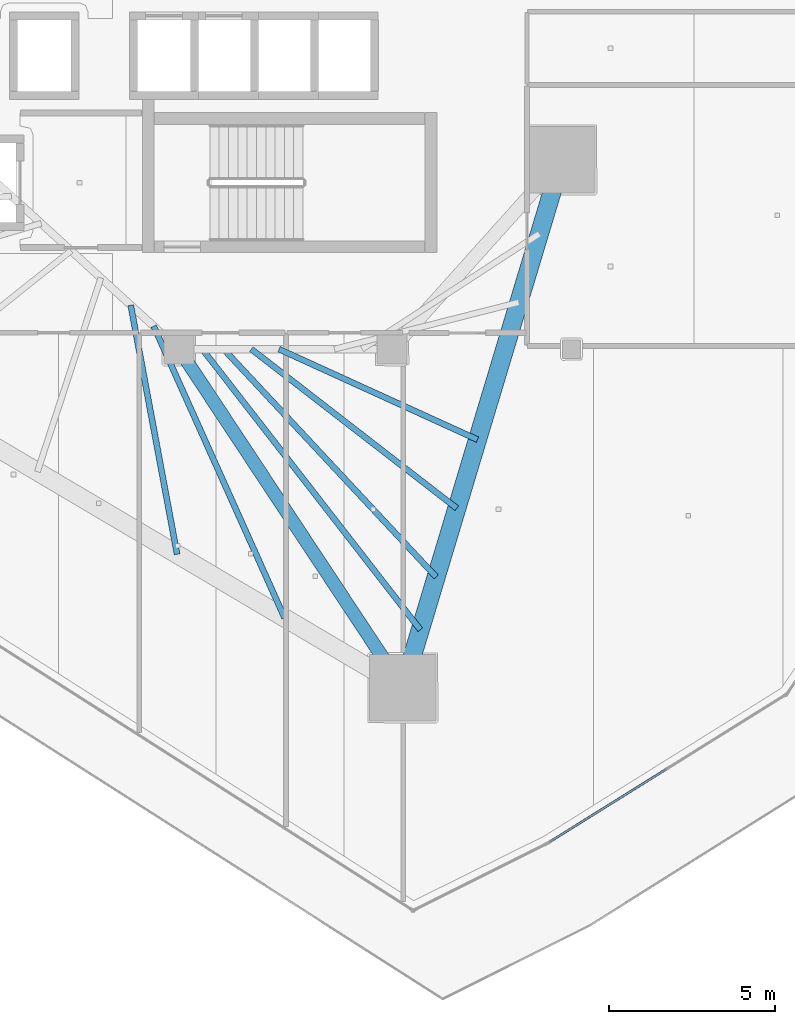
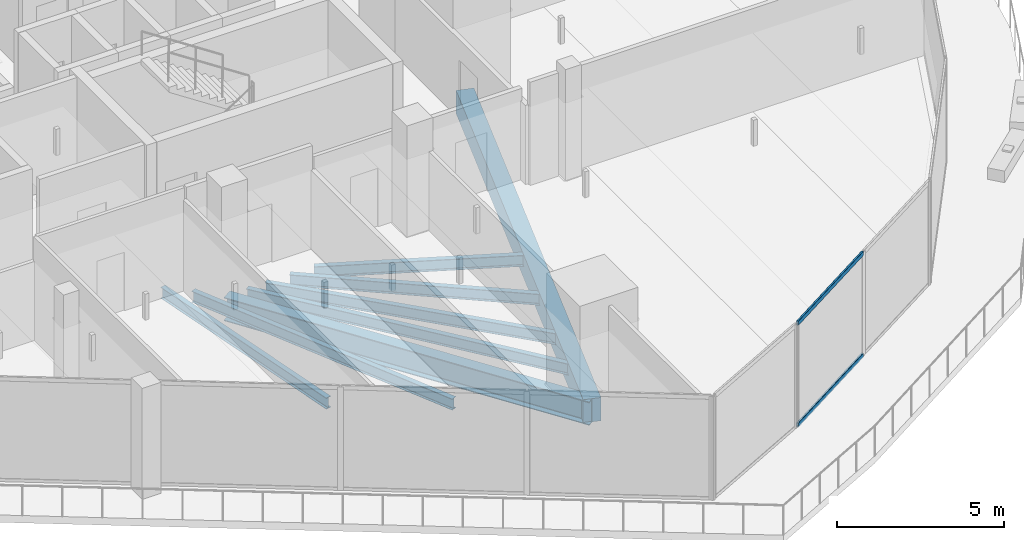
# One storey, part 9 of 37: 8 beams, 2 members, 1 element without a shape of its own.
"""IFC4 building model written with IfcOpenShell, lengths in metres."""

import ifcopenshell
import ifcopenshell.guid

model = None  # the IFC model being written
_history = None  # IfcOwnerHistory: only IFC2X3 demands one
_inside = {}  # id of a spatial element -> (the spatial element, [elements in it])
_under = {}  # id of a project, library or spatial element -> (it, [spatial elements below it])
_declared = {}  # id of a project -> (the project, [libraries it declares])
_typed = {}  # id of a type object -> (the type object, [elements of that type])
_made_of = {}  # id of a material, layer set ... -> (it, [elements and type objects made of it])


def new_model(schema):
    """Start an empty IFC model of exactly this schema.

    Asked for "IFC4X3", IfcOpenShell would pick the latest addendum, in which some entities
    have other attributes; the version numbers below select the first issue.
    IFC2X3 requires an IfcOwnerHistory on every rooted entity: one is made here for all.
    """
    global model, _history
    if schema == "IFC4X3":
        model = ifcopenshell.file(schema_version=(4, 3, 0, 0))
    else:
        model = ifcopenshell.file(schema=schema)
    _inside.clear()
    _under.clear()
    _declared.clear()
    _typed.clear()
    _made_of.clear()
    _history = None
    if model.schema == "IFC2X3":
        org = make("IfcOrganization", Name="unknown")
        user = make(
            "IfcPersonAndOrganization",
            ThePerson=make("IfcPerson", FamilyName="unknown"),
            TheOrganization=org,
        )
        app = make(
            "IfcApplication",
            ApplicationDeveloper=org,
            Version="unknown",
            ApplicationFullName="unknown",
            ApplicationIdentifier="unknown",
        )
        _history = make(
            "IfcOwnerHistory",
            OwningUser=user,
            OwningApplication=app,
            ChangeAction="ADDED",
            CreationDate=0,
        )
    return model


def make(cls, **values):
    """One entity of the class cls with the attributes given. An attribute that is None is left unset."""
    return model.create_entity(
        cls, **{name: value for name, value in values.items() if value is not None}
    )


def rooted(cls, **values):
    """An entity with a GlobalId (a new one), such as an element, a storey or a relation."""
    return make(cls, GlobalId=ifcopenshell.guid.new(), OwnerHistory=_history, **values)


def si_unit(unit_type, name, prefix=None):
    """IfcSIUnit, for example si_unit("LENGTHUNIT", "METRE", prefix="MILLI")."""
    return make("IfcSIUnit", UnitType=unit_type, Prefix=prefix, Name=name)


def assignment(units):
    """IfcUnitAssignment: the units of a project."""
    return None if units is None else make("IfcUnitAssignment", Units=units)


def point(xyz):
    """IfcCartesianPoint."""
    return None if xyz is None else make("IfcCartesianPoint", Coordinates=xyz)


def direction(xyz):
    """IfcDirection."""
    return None if xyz is None else make("IfcDirection", DirectionRatios=xyz)


def frame(location, z_axis=None, x_axis=None):
    """IfcAxis2Placement3D, a coordinate frame: its origin and axes. An axis left out is left unset."""
    return make(
        "IfcAxis2Placement3D",
        Location=point(location),
        Axis=direction(z_axis),
        RefDirection=direction(x_axis),
    )


def frame_2d(location, x_axis=None):
    """IfcAxis2Placement2D, a coordinate frame in the plane: its origin and x axis."""
    return make(
        "IfcAxis2Placement2D", Location=point(location), RefDirection=direction(x_axis)
    )


def origin():
    """The frame at (0, 0, 0) with its axes left unset."""
    return frame((0.0, 0.0, 0.0))


def origin_2d():
    """The frame at (0, 0) in the plane with its x axis left unset."""
    return frame_2d((0.0, 0.0))


def place(relative_to, where):
    """IfcLocalPlacement: puts the frame where relative to a parent placement (None: the world)."""
    return make(
        "IfcLocalPlacement", PlacementRelTo=relative_to, RelativePlacement=where
    )


def context(
    kind, dimensions, precision=None, world=None, true_north=None, identifier=None
):
    """IfcGeometricRepresentationContext, for example the 3D "Model" context."""
    return make(
        "IfcGeometricRepresentationContext",
        ContextIdentifier=identifier,
        ContextType=kind,
        CoordinateSpaceDimension=dimensions,
        Precision=precision,
        WorldCoordinateSystem=world,
        TrueNorth=true_north,
    )


def subcontext(parent, identifier, kind, view, scale=None):
    """IfcGeometricRepresentationSubContext, for example "Body" below "Model"."""
    return make(
        "IfcGeometricRepresentationSubContext",
        ContextIdentifier=identifier,
        ContextType=kind,
        ParentContext=parent,
        TargetScale=scale,
        TargetView=view,
    )


def project(units=None, contexts=None):
    """IfcProject with its units and contexts."""
    return rooted(
        "IfcProject",
        Name="project",
        RepresentationContexts=contexts,
        UnitsInContext=assignment(units),
    )


def spatial(cls, under=None, at=None, **own):
    """A site, building, storey or space (cls), placed at a placement, below another one or the project."""
    s = rooted(cls, ObjectPlacement=at, **own)
    if under is not None:
        _under.setdefault(under.id(), (under, []))[1].append(s)
    return s


def profile(cls, at=None, kind="AREA", **sizes):
    """A parametric profile (cls). Its sizes go by their IFC names, for example OverallWidth=200.0."""
    return make(cls, ProfileType=kind, Position=at, **sizes)


def rectangle(**sizes):
    """IfcRectangleProfileDef."""
    return profile("IfcRectangleProfileDef", **sizes)


def hollow_rectangle(**sizes):
    """IfcRectangleHollowProfileDef."""
    return profile("IfcRectangleHollowProfileDef", **sizes)


def i_section(**sizes):
    """IfcIShapeProfileDef."""
    return profile("IfcIShapeProfileDef", **sizes)


def extrude(swept, where, along, depth):
    """IfcExtrudedAreaSolid: the profile swept, set in the frame where, extruded along a direction by depth."""
    return make(
        "IfcExtrudedAreaSolid",
        SweptArea=swept,
        Position=where,
        ExtrudedDirection=direction(along),
        Depth=depth,
    )


def shape(context_of_items, identifier, shape_type, items):
    """IfcShapeRepresentation: the items that make up one representation, for example the "Body"."""
    return make(
        "IfcShapeRepresentation",
        ContextOfItems=context_of_items,
        RepresentationIdentifier=identifier,
        RepresentationType=shape_type,
        Items=items,
    )


def material(Name=None, Category=None):
    """IfcMaterial."""
    return make("IfcMaterial", Name=Name, Category=Category)


def layer(
    of_material, thickness, ventilated=None, Name=None, Category=None, Priority=None
):
    """IfcMaterialLayer: one layer of a wall or slab, of a material (None: an air gap)."""
    return make(
        "IfcMaterialLayer",
        Material=of_material,
        LayerThickness=thickness,
        IsVentilated=ventilated,
        Name=Name,
        Category=Category,
        Priority=Priority,
    )


def layer_set(layers, Name=None):
    """IfcMaterialLayerSet."""
    return make("IfcMaterialLayerSet", MaterialLayers=layers, LayerSetName=Name)


def material_profile(
    of_material, cross_section, Name=None, Category=None, Priority=None
):
    """IfcMaterialProfile: a cross section and its material."""
    return make(
        "IfcMaterialProfile",
        Name=Name,
        Material=of_material,
        Profile=cross_section,
        Priority=Priority,
        Category=Category,
    )


def profile_set(profiles, Name=None, composite=None):
    """IfcMaterialProfileSet."""
    return make(
        "IfcMaterialProfileSet",
        Name=Name,
        MaterialProfiles=profiles,
        CompositeProfile=composite,
    )


def made_of(thing, what):
    """Note that an element or type object is made of a material, layer set ...; save() writes the relation."""
    if what is not None:
        _made_of.setdefault(what.id(), (what, []))[1].append(thing)
    return thing


def type_object(cls, material=None, **own):
    """A type object (cls), such as IfcWallType, which elements share."""
    return made_of(rooted(cls, **own), material)


def element(
    cls,
    number,
    at=None,
    inside=None,
    cuts=None,
    type_object=None,
    material=None,
    context=None,
    identifier="Body",
    shape_type=None,
    held_by="IfcProductDefinitionShape",
    body=None,
    shapes=None,
    **own,
):
    """One element of the class cls, such as IfcWall. Its Tag is "e" and its number.

    at: its placement. inside: the storey or other place that contains it. cuts: it is an
    opening in that element (IfcRelVoidsElement). A single representation is given by context,
    identifier, shape_type and body (its items); several are given by shapes. held_by: the class
    of the entity that holds the representations. save() writes the other relations.
    """
    e = rooted(cls, Tag="e%d" % number, ObjectPlacement=at, **own)
    if body is not None:
        shapes = [shape(context, identifier, shape_type, body)]
    if shapes is not None:
        e.Representation = make(held_by, Representations=shapes)
    if inside is not None:
        _inside.setdefault(inside.id(), (inside, []))[1].append(e)
    if cuts is not None:
        rooted(
            "IfcRelVoidsElement", RelatingBuildingElement=cuts, RelatedOpeningElement=e
        )
    if type_object is not None:
        _typed.setdefault(type_object.id(), (type_object, []))[1].append(e)
    return made_of(e, material)


def aggregate(whole, parts):
    """IfcRelAggregates: a whole, such as a stair, and the parts it consists of."""
    return rooted("IfcRelAggregates", RelatingObject=whole, RelatedObjects=parts)


def save(model, path):
    """Write the relations noted so far, then the file.

    IfcRelAggregates (storeys below a building ...), IfcRelContainedInSpatialStructure (elements
    in a storey), IfcRelDefinesByType, IfcRelAssociatesMaterial and IfcRelDeclares: one each for
    every whole, place, type object, material and project.
    """
    for whole, parts in _under.values():
        aggregate(whole, parts)
    for where, things in _inside.values():
        rooted(
            "IfcRelContainedInSpatialStructure",
            RelatedElements=things,
            RelatingStructure=where,
        )
    for kind, things in _typed.values():
        rooted("IfcRelDefinesByType", RelatedObjects=things, RelatingType=kind)
    for what, things in _made_of.values():
        rooted("IfcRelAssociatesMaterial", RelatedObjects=things, RelatingMaterial=what)
    for by, libraries in _declared.values():
        rooted("IfcRelDeclares", RelatingContext=by, RelatedDefinitions=libraries)
    model.write(path)


model = new_model("IFC4")

# Units and contexts
model_context = context("Model", 3, precision=1e-05, world=origin(), true_north=direction((0.0, 1.0)))
body_context = subcontext(model_context, "Body", "Model", "MODEL_VIEW")
ifc_project = project(units=[si_unit("LENGTHUNIT", "METRE"), si_unit("AREAUNIT", "SQUARE_METRE"), si_unit("VOLUMEUNIT", "CUBIC_METRE"), si_unit("PLANEANGLEUNIT", "RADIAN"), si_unit("MASSUNIT", "GRAM", prefix="KILO")], contexts=[model_context])

# Site, building, storey
site_placement = place(None, origin())
site = spatial("IfcSite", under=ifc_project, at=site_placement, CompositionType="ELEMENT")
building_placement = place(site_placement, origin())
building = spatial("IfcBuilding", under=site, at=building_placement, Name="Qorvath Tower", CompositionType="ELEMENT")
storey_placement = place(building_placement, frame((0.0, 0.0, 184.800048828125)))
storey = spatial("IfcBuildingStorey", under=building, at=storey_placement, Name="L42", CompositionType="ELEMENT", Elevation=184.800048828125)

# Beams
ifc_material_1 = material(Name="Steel ASTM A992 Grade 50", Category="steel")
ifc_material_profile_1 = material_profile(ifc_material_1, i_section(OverallWidth=0.39892578125, OverallDepth=0.85498046875, WebThickness=0.018310546875, FlangeThickness=0.029296875, FilletRadius=0.02001953125, at=origin_2d()), Name="W33x201")
ifc_profile_set_1 = profile_set([ifc_material_profile_1], Name="Steel ASTM A992 Grade 50")
beam_type_1 = type_object("IfcBeamType", Name="BM-FG2", PredefinedType="BEAM", material=ifc_profile_set_1)
beam_1_placement = place(storey_placement, frame((-23.60009765625, -11.449951171875, -0.697509765625), z_axis=(0.551500517741, -0.834174549439, 0.0), x_axis=(0.834174549439, 0.551500517741, 0.0)))
element("IfcBeam", 1, at=beam_1_placement, inside=storey, type_object=beam_type_1, Name="Radial Floor Girder CC4-MC3 L42", PredefinedType="BEAM", context=body_context, shape_type="SweptSolid", body=[
    extrude(i_section(OverallWidth=0.39892578125, OverallDepth=0.85498046875, WebThickness=0.018310546875, FlangeThickness=0.029296875, FilletRadius=0.02001953125, at=origin_2d()), origin(), (0.0, 0.0, 1.0), 12.200439453125),
])
ifc_material_2 = material(Name="Steel ASTM A992 Grade 50", Category="steel")
ifc_material_profile_2 = material_profile(ifc_material_2, i_section(OverallWidth=0.177978515625, OverallDepth=0.406005859375, WebThickness=0.0078125, FlangeThickness=0.0126953125, FilletRadius=0.010986328125, at=origin_2d()), Name="W16x40")
ifc_profile_set_2 = profile_set([ifc_material_profile_2], Name="Steel ASTM A992 Grade 50")
beam_type_2 = type_object("IfcBeamType", Name="BM-FJ3", PredefinedType="JOIST", material=ifc_profile_set_2)
beam_2_placement = place(storey_placement, frame((-20.592041015625, -11.449951171875, -0.47314453125), z_axis=(0.909945081179, -0.414728765868, 0.0), x_axis=(0.414728765868, 0.909945081179, 0.0)))
element("IfcBeam", 2, at=beam_2_placement, inside=storey, type_object=beam_type_2, Name="Composite Floor Joist SE4 L42", PredefinedType="JOIST", context=body_context, shape_type="SweptSolid", body=[
    extrude(i_section(OverallWidth=0.177978515625, OverallDepth=0.406005859375, WebThickness=0.0078125, FlangeThickness=0.0126953125, FilletRadius=0.010986328125, at=origin_2d()), origin(), (0.0, 0.0, 1.0), 6.554931640625),
])
beam_3_placement = place(storey_placement, frame((-21.424072265625, -11.449951171875, -0.47314453125), z_axis=(0.790693445503, -0.612212279555, 0.0), x_axis=(0.612212279555, 0.790693445503, 0.0)))
element("IfcBeam", 3, at=beam_3_placement, inside=storey, type_object=beam_type_2, Name="Composite Floor Joist SE5 L42", PredefinedType="JOIST", context=body_context, shape_type="SweptSolid", body=[
    extrude(i_section(OverallWidth=0.177978515625, OverallDepth=0.406005859375, WebThickness=0.0078125, FlangeThickness=0.0126953125, FilletRadius=0.010986328125, at=origin_2d()), origin(), (0.0, 0.0, 1.0), 7.810546875),
])
beam_4_placement = place(storey_placement, frame((-22.256103515625, -11.449951171875, -0.47314453125), z_axis=(0.682249490937, -0.731119437654, 0.0), x_axis=(0.731119437654, 0.682249490937, 0.0)))
element("IfcBeam", 4, at=beam_4_placement, inside=storey, type_object=beam_type_2, Name="Composite Floor Joist SE6 L42", PredefinedType="JOIST", context=body_context, shape_type="SweptSolid", body=[
    extrude(i_section(OverallWidth=0.177978515625, OverallDepth=0.406005859375, WebThickness=0.0078125, FlangeThickness=0.0126953125, FilletRadius=0.010986328125, at=origin_2d()), origin(), (0.0, 0.0, 1.0), 9.362060546875),
])
beam_5_placement = place(storey_placement, frame((-22.89599609375, -11.449951171875, -0.47314453125), z_axis=(0.61345131907, -0.789732536452, 0.0), x_axis=(0.789732536452, 0.61345131907, 0.0)))
element("IfcBeam", 5, at=beam_5_placement, inside=storey, type_object=beam_type_2, Name="Composite Floor Joist SE7 L42", PredefinedType="JOIST", context=body_context, shape_type="SweptSolid", body=[
    extrude(i_section(OverallWidth=0.177978515625, OverallDepth=0.406005859375, WebThickness=0.0078125, FlangeThickness=0.0126953125, FilletRadius=0.010986328125, at=origin_2d()), origin(), (0.0, 0.0, 1.0), 10.676513671875),
])
beam_6_placement = place(storey_placement, frame((-25.049072265625, -10.126953125, -0.47314453125), z_axis=(0.183026775988, -0.983107928598, 0.0), x_axis=(0.983107928598, 0.183026775988, 0.0)))
element("IfcBeam", 6, at=beam_6_placement, inside=storey, type_object=beam_type_2, Name="Composite Floor Joist SW6 L42", PredefinedType="JOIST", context=body_context, shape_type="SweptSolid", body=[
    extrude(i_section(OverallWidth=0.177978515625, OverallDepth=0.406005859375, WebThickness=0.0078125, FlangeThickness=0.0126953125, FilletRadius=0.010986328125, at=origin_2d()), origin(), (0.0, 0.0, 1.0), 7.617919921875),
])
beam_7_placement = place(storey_placement, frame((-24.35888671875, -10.757080078125, -0.47314453125), z_axis=(0.409327209141, -0.912387656568, 0.0), x_axis=(0.912387656568, 0.409327209141, 0.0)))
element("IfcBeam", 7, at=beam_7_placement, inside=storey, type_object=beam_type_2, Name="Composite Floor Joist SW7 L42", PredefinedType="JOIST", context=body_context, shape_type="SweptSolid", body=[
    extrude(i_section(OverallWidth=0.177978515625, OverallDepth=0.406005859375, WebThickness=0.0078125, FlangeThickness=0.0126953125, FilletRadius=0.010986328125, at=origin_2d()), origin(), (0.0, 0.0, 1.0), 9.611083984375),
])
ifc_material_3 = material(Name="Concrete C50/60", Category="concrete")
ifc_material_profile_3 = material_profile(ifc_material_3, rectangle(XDim=0.550048828125, YDim=0.85009765625, at=origin_2d()), Name="RCB 850x550")
ifc_profile_set_3 = profile_set([ifc_material_profile_3], Name="Concrete C50/60")
beam_type_3 = type_object("IfcBeamType", Name="BM-RCB2", PredefinedType="SPANDREL", material=ifc_profile_set_3)
beam_8_placement = place(storey_placement, frame((-16.87158203125, -21.627197265625, -0.695068359375), z_axis=(0.28812763802, 0.957592013443, 0.0), x_axis=(-0.957592013443, 0.28812763802, 0.0)))
element("IfcBeam", 8, at=beam_8_placement, inside=storey, type_object=beam_type_3, Name="Perimeter Loggia Frame Beam MC3-MC4 L42", PredefinedType="SPANDREL", context=body_context, shape_type="SweptSolid", body=[
    extrude(rectangle(XDim=0.550048828125, YDim=0.85009765625, at=origin_2d()), origin(), (0.0, 0.0, 1.0), 16.572265625),
])

# Curtain wall, members
ifc_material_4 = material(Name="Anodised aluminium and triple low-E glass", Category="aluminium")
ifc_layer = layer(ifc_material_4, 0.179931640625)
ifc_layer_set = layer_set([ifc_layer], Name="CW-SYS-3")
curtain_wall_type = type_object("IfcCurtainWallType", Name="CW-SYS-3", PredefinedType="NOTDEFINED", material=ifc_layer_set)
curtain_wall_placement = place(storey_placement, origin())
curtain_wall = element("IfcCurtainWall", 9, at=curtain_wall_placement, inside=storey, type_object=curtain_wall_type, Name="Curtain Wall CW-3 CW-T-L42-4.1", PredefinedType="NOTDEFINED")
ifc_material_5 = material(Name="Anodised aluminium 6063-T6", Category="aluminium")
ifc_material_profile_4 = material_profile(ifc_material_5, hollow_rectangle(XDim=0.06494140625, YDim=0.159912109375, WallThickness=0.00341796875, InnerFilletRadius=0.00341796875, OuterFilletRadius=0.007080078125, at=origin_2d()), Name="CWT 160x65")
ifc_profile_set_4 = profile_set([ifc_material_profile_4], Name="Anodised aluminium 6063-T6")
member_type = type_object("IfcMemberType", Name="CWT-160", PredefinedType="USERDEFINED", material=ifc_profile_set_4)
member_1_placement = place(storey_placement, frame((-12.4609375, -26.259521484375, 0.032470703125), z_axis=(0.848458895061, 0.529261280836, 0.0), x_axis=(-0.529261280836, 0.848458895061, 0.0)))
member_1 = element("IfcMember", 10, at=member_1_placement, type_object=member_type, Name="CW-3 transom 1.1", ObjectType="TRANSOM", PredefinedType="USERDEFINED", context=body_context, shape_type="SweptSolid", body=[
    extrude(hollow_rectangle(XDim=0.06494140625, YDim=0.159912109375, WallThickness=0.00341796875, InnerFilletRadius=0.00341796875, OuterFilletRadius=0.007080078125, at=origin_2d()), origin(), (0.0, 0.0, 1.0), 4.13623046875),
])
member_2_placement = place(storey_placement, frame((-12.4609375, -26.259521484375, 3.74755859375), z_axis=(0.848458895061, 0.529261280836, 0.0), x_axis=(-0.529261280836, 0.848458895061, 0.0)))
member_2 = element("IfcMember", 11, at=member_2_placement, type_object=member_type, Name="CW-3 transom 1.2", ObjectType="TRANSOM", PredefinedType="USERDEFINED", context=body_context, shape_type="SweptSolid", body=[
    extrude(hollow_rectangle(XDim=0.06494140625, YDim=0.159912109375, WallThickness=0.00341796875, InnerFilletRadius=0.00341796875, OuterFilletRadius=0.007080078125, at=origin_2d()), origin(), (0.0, 0.0, 1.0), 4.13623046875),
])
aggregate(curtain_wall, [member_1, member_2])

save(model, "model.ifc")
